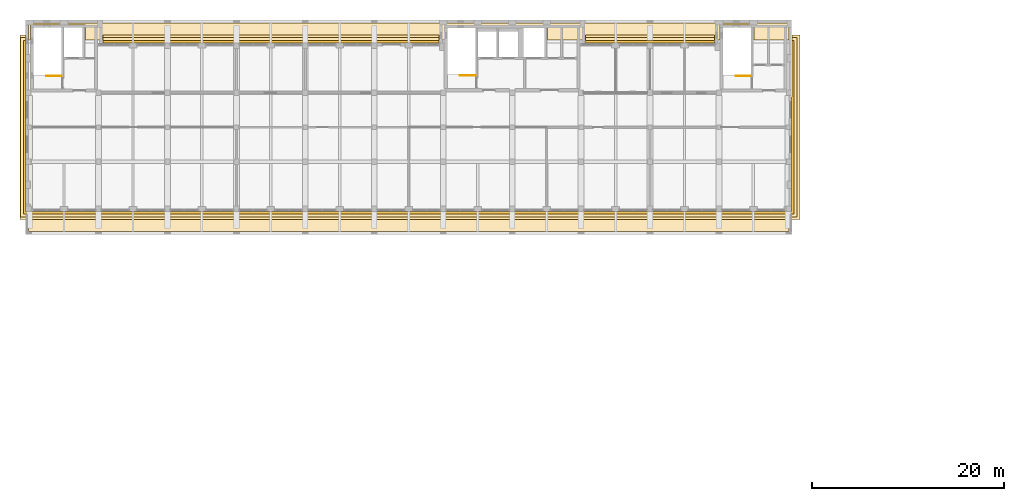
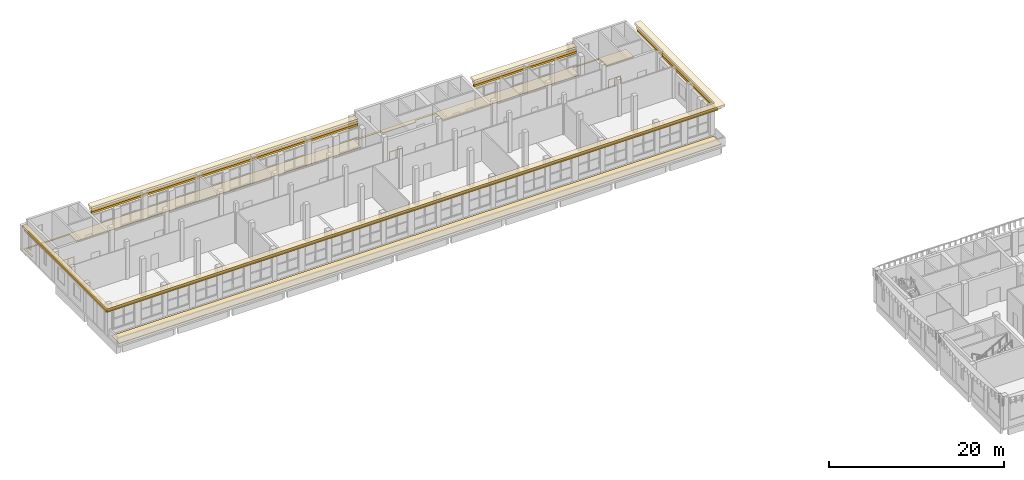
# One storey, part 28 of 30: 11 coverings, 3 railings.
"""IFC4 building model written with IfcOpenShell, lengths in metres."""

from ifc_helpers import new_model, si_unit, direction, frame, origin, origin_2d, place, context, subcontext, project, spatial, polyline, circle, outline, extrude, material, layer, layer_set, type_object, element, save


model = new_model("IFC4")

# Units and contexts
model_context = context("Model", 3, precision=1e-05, world=origin(), true_north=direction((0.0, 1.0)))
body_context = subcontext(model_context, "Body", "Model", "MODEL_VIEW")
ifc_project = project(units=[si_unit("LENGTHUNIT", "METRE"), si_unit("AREAUNIT", "SQUARE_METRE"), si_unit("VOLUMEUNIT", "CUBIC_METRE"), si_unit("PLANEANGLEUNIT", "RADIAN"), si_unit("MASSUNIT", "GRAM", prefix="KILO")], contexts=[model_context])

# Site, building, storey
site_placement = place(None, origin())
site = spatial("IfcSite", under=ifc_project, at=site_placement, CompositionType="ELEMENT")
building_placement = place(site_placement, origin())
building = spatial("IfcBuilding", under=site, at=building_placement, Name="Ussher Court Research Institute", CompositionType="ELEMENT")
storey_placement = place(building_placement, frame((0.0, 0.0, 27.89990234375)))
storey = spatial("IfcBuildingStorey", under=building, at=storey_placement, Name="L06", CompositionType="ELEMENT", Elevation=27.89990234375)

# Coverings
ifc_material_1 = material(Name="Limestone cornice", Category="masonry")
covering_type_1 = type_object("IfcCoveringType", Name="Cornice bed mould 250x300", PredefinedType="CLADDING", material=ifc_material_1)
covering_1_placement = place(storey_placement, frame((0.0, 0.0, 3.4501953125)))
element("IfcCovering", 1, at=covering_1_placement, inside=storey, type_object=covering_type_1, Name="CC6 V5", PredefinedType="CLADDING", context=body_context, shape_type="SweptSolid", body=[
    extrude(outline(polyline([(2.550048828125, 88.64990234375), (2.35009765625, 88.64990234375), (2.35009765625, 70.550048828125), (82.85009765625, 70.550048828125), (82.85009765625, 88.64990234375), (82.64990234375, 88.64990234375), (82.64990234375, 82.75), (82.60009765625, 82.75), (82.60009765625, 70.800048828125), (2.60009765625, 70.800048828125), (2.60009765625, 82.75), (2.550048828125, 82.75), (2.550048828125, 88.64990234375)])), origin(), (0.0, 0.0, 1.0), 0.2998046875),
])
covering_2_placement = place(storey_placement, frame((0.0, 0.0, 3.4501953125)))
element("IfcCovering", 2, at=covering_2_placement, inside=storey, type_object=covering_type_1, Name="CC6 V5", PredefinedType="CLADDING", context=body_context, shape_type="SweptSolid", body=[
    extrude(outline(polyline([(45.75, 88.39990234375), (45.75, 88.64990234375), (10.64990234375, 88.64990234375), (10.64990234375, 88.39990234375), (45.75, 88.39990234375)])), origin(), (0.0, 0.0, 1.0), 0.2998046875),
])
covering_3_placement = place(storey_placement, frame((0.0, 0.0, 3.4501953125)))
element("IfcCovering", 3, at=covering_3_placement, inside=storey, type_object=covering_type_1, Name="CC6 V5", PredefinedType="CLADDING", context=body_context, shape_type="SweptSolid", body=[
    extrude(outline(polyline([(74.550048828125, 88.39990234375), (74.550048828125, 88.64990234375), (61.050048828125, 88.64990234375), (61.050048828125, 88.39990234375), (74.550048828125, 88.39990234375)])), origin(), (0.0, 0.0, 1.0), 0.2998046875),
])
ifc_material_2 = material(Name="Limestone cornice", Category="masonry")
covering_type_2 = type_object("IfcCoveringType", Name="Cornice cap 850x300", PredefinedType="CLADDING", material=ifc_material_2)
covering_4_placement = place(storey_placement, frame((0.0, 0.0, 4.10009765625)))
element("IfcCovering", 4, at=covering_4_placement, inside=storey, type_object=covering_type_2, Name="CC8 V5", PredefinedType="CLADDING", context=body_context, shape_type="SweptSolid", body=[
    extrude(outline(polyline([(2.550048828125, 89.25), (2.0, 89.25), (2.0, 69.949951171875), (83.449951171875, 69.949951171875), (83.449951171875, 89.25), (82.64990234375, 89.25), (82.64990234375, 82.75), (82.60009765625, 82.75), (82.60009765625, 70.800048828125), (2.60009765625, 70.800048828125), (2.60009765625, 82.75), (2.550048828125, 82.75), (2.550048828125, 89.25)])), origin(), (0.0, 0.0, 1.0), 0.300048828125),
])
covering_5_placement = place(storey_placement, frame((0.0, 0.0, 4.10009765625)))
element("IfcCovering", 5, at=covering_5_placement, inside=storey, type_object=covering_type_2, Name="CC8 V5", PredefinedType="CLADDING", context=body_context, shape_type="SweptSolid", body=[
    extrude(outline(polyline([(45.75, 88.39990234375), (45.75, 89.25), (10.64990234375, 89.25), (10.64990234375, 88.39990234375), (45.75, 88.39990234375)])), origin(), (0.0, 0.0, 1.0), 0.300048828125),
])
covering_6_placement = place(storey_placement, frame((0.0, 0.0, 4.10009765625)))
element("IfcCovering", 6, at=covering_6_placement, inside=storey, type_object=covering_type_2, Name="CC8 V5", PredefinedType="CLADDING", context=body_context, shape_type="SweptSolid", body=[
    extrude(outline(polyline([(74.550048828125, 88.39990234375), (74.550048828125, 89.25), (61.050048828125, 89.25), (61.050048828125, 88.39990234375), (74.550048828125, 88.39990234375)])), origin(), (0.0, 0.0, 1.0), 0.300048828125),
])
ifc_material_3 = material(Name="Limestone cornice", Category="masonry")
covering_type_3 = type_object("IfcCoveringType", Name="Cornice corona 550x350", PredefinedType="CLADDING", material=ifc_material_3)
covering_7_placement = place(storey_placement, frame((0.0, 0.0, 3.75)))
element("IfcCovering", 7, at=covering_7_placement, inside=storey, type_object=covering_type_3, Name="CC7 V5", PredefinedType="CLADDING", context=body_context, shape_type="SweptSolid", body=[
    extrude(outline(polyline([(2.550048828125, 88.949951171875), (2.050048828125, 88.949951171875), (2.050048828125, 70.25), (83.14990234375, 70.25), (83.14990234375, 88.949951171875), (82.64990234375, 88.949951171875), (82.64990234375, 82.75), (82.60009765625, 82.75), (82.60009765625, 70.800048828125), (2.60009765625, 70.800048828125), (2.60009765625, 82.75), (2.550048828125, 82.75), (2.550048828125, 88.949951171875)])), origin(), (0.0, 0.0, 1.0), 0.35009765625),
])
covering_8_placement = place(storey_placement, frame((0.0, 0.0, 3.75)))
element("IfcCovering", 8, at=covering_8_placement, inside=storey, type_object=covering_type_3, Name="CC7 V5", PredefinedType="CLADDING", context=body_context, shape_type="SweptSolid", body=[
    extrude(outline(polyline([(45.75, 88.39990234375), (45.75, 88.949951171875), (10.64990234375, 88.949951171875), (10.64990234375, 88.39990234375), (45.75, 88.39990234375)])), origin(), (0.0, 0.0, 1.0), 0.35009765625),
])
covering_9_placement = place(storey_placement, frame((0.0, 0.0, 3.75)))
element("IfcCovering", 9, at=covering_9_placement, inside=storey, type_object=covering_type_3, Name="CC7 V5", PredefinedType="CLADDING", context=body_context, shape_type="SweptSolid", body=[
    extrude(outline(polyline([(74.550048828125, 88.39990234375), (74.550048828125, 88.949951171875), (61.050048828125, 88.949951171875), (61.050048828125, 88.39990234375), (74.550048828125, 88.39990234375)])), origin(), (0.0, 0.0, 1.0), 0.35009765625),
])
ifc_material_4 = material(Name="Bituminous membrane with gravel ballast")
ifc_layer = layer(ifc_material_4, 0.080078125)
ifc_layer_set = layer_set([ifc_layer], Name="Bituminous membrane with gravel ballast")
covering_type_4 = type_object("IfcCoveringType", Name="Flat roof membrane and ballast 80", PredefinedType="ROOFING", material=ifc_layer_set)
covering_10_placement = place(storey_placement, origin())
element("IfcCovering", 10, at=covering_10_placement, inside=storey, type_object=covering_type_4, Name="Roof covering RC3 V5", PredefinedType="ROOFING", context=body_context, shape_type="SweptSolid", body=[
    extrude(outline(polyline([(2.89990234375, 68.699951171875), (2.89990234375, 70.5), (82.300048828125, 70.5), (82.300048828125, 68.699951171875), (2.89990234375, 68.699951171875)])), origin(), (0.0, 0.0, 1.0), 0.080078125),
])
covering_11_placement = place(storey_placement, origin())
element("IfcCovering", 11, at=covering_11_placement, inside=storey, type_object=covering_type_4, Name="Roof covering RC3 V5", PredefinedType="ROOFING", context=body_context, shape_type="SweptSolid", body=[
    extrude(outline(polyline([(6.25, 90.300048828125), (3.10009765625, 90.300048828125), (3.10009765625, 88.699951171875), (2.89990234375, 88.699951171875), (2.89990234375, 90.5), (82.300048828125, 90.5), (82.300048828125, 88.699951171875), (78.64990234375, 88.699951171875), (78.64990234375, 90.300048828125), (75.10009765625, 90.300048828125), (75.10009765625, 88.699951171875), (57.10009765625, 88.699951171875), (57.10009765625, 90.25), (54.300048828125, 90.25), (54.300048828125, 88.699951171875), (54.300048828125, 89.89990234375), (52.10009765625, 89.89990234375), (51.699951171875, 89.89990234375), (49.89990234375, 89.89990234375), (49.89990234375, 90.25), (46.35009765625, 90.25), (46.35009765625, 88.699951171875), (8.85009765625, 88.699951171875), (8.85009765625, 90.300048828125), (6.64990234375, 90.300048828125), (6.25, 90.300048828125)])), origin(), (0.0, 0.0, 1.0), 0.080078125),
])

# Railings
ifc_material_5 = material(Name="Painted steel balustrade", Category="steel")
railing_type = type_object("IfcRailingType", Name="Stair guard 1100 steel balustrade", PredefinedType="GUARDRAIL", material=ifc_material_5)
railing_1_placement = place(storey_placement, frame((6.35009765625, 84.949951171875, 0.0)))
element("IfcRailing", 12, at=railing_1_placement, inside=storey, type_object=railing_type, Name="L06 D1 top well guard 1", PredefinedType="GUARDRAIL", context=body_context, shape_type="SweptSolid", body=[
    extrude(circle(Radius=0.02392578125, at=origin_2d()), frame((0.0, 0.0, 1.076171875), z_axis=(-1.0, 0.0, 0.0), x_axis=(0.0, -1.0, 0.0)), (0.0, 0.0, 1.0), 1.60009765625),
    extrude(circle(Radius=0.02099609375, at=origin_2d()), origin(), (0.0, 0.0, 1.0), 1.052001953125),
    extrude(circle(Radius=0.02099609375, at=origin_2d()), frame((-0.800048828125, 0.0, 0.0)), (0.0, 0.0, 1.0), 1.052001953125),
    extrude(circle(Radius=0.02099609375, at=origin_2d()), frame((-1.60009765625, 0.0, 0.0)), (0.0, 0.0, 1.0), 1.052001953125),
])
railing_2_placement = place(storey_placement, frame((49.60009765625, 85.0, 0.0)))
element("IfcRailing", 13, at=railing_2_placement, inside=storey, type_object=railing_type, Name="L06 D2 top well guard 1", PredefinedType="GUARDRAIL", context=body_context, shape_type="SweptSolid", body=[
    extrude(circle(Radius=0.02392578125, at=origin_2d()), frame((0.0, 0.0, 1.076171875), z_axis=(-1.0, 0.0, 0.0), x_axis=(0.0, -1.0, 0.0)), (0.0, 0.0, 1.0), 1.670166015625),
    extrude(circle(Radius=0.02099609375, at=origin_2d()), origin(), (0.0, 0.0, 1.0), 1.052001953125),
    extrude(circle(Radius=0.02099609375, at=origin_2d()), frame((-0.8349609375, 0.0, 0.0)), (0.0, 0.0, 1.0), 1.052001953125),
    extrude(circle(Radius=0.02099609375, at=origin_2d()), frame((-1.670166015625, 0.0, 0.0)), (0.0, 0.0, 1.0), 1.052001953125),
])
railing_3_placement = place(storey_placement, frame((78.35009765625, 84.949951171875, 0.0)))
element("IfcRailing", 14, at=railing_3_placement, inside=storey, type_object=railing_type, Name="L06 D3 top well guard 1", PredefinedType="GUARDRAIL", context=body_context, shape_type="SweptSolid", body=[
    extrude(circle(Radius=0.02392578125, at=origin_2d()), frame((0.0, 0.0, 1.076171875), z_axis=(-1.0, 0.0, 0.0), x_axis=(0.0, -1.0, 0.0)), (0.0, 0.0, 1.0), 1.60009765625),
    extrude(circle(Radius=0.02099609375, at=origin_2d()), origin(), (0.0, 0.0, 1.0), 1.052001953125),
    extrude(circle(Radius=0.02099609375, at=origin_2d()), frame((-0.800048828125, 0.0, 0.0)), (0.0, 0.0, 1.0), 1.052001953125),
    extrude(circle(Radius=0.02099609375, at=origin_2d()), frame((-1.60009765625, 0.0, 0.0)), (0.0, 0.0, 1.0), 1.052001953125),
])

save(model, "model.ifc")
